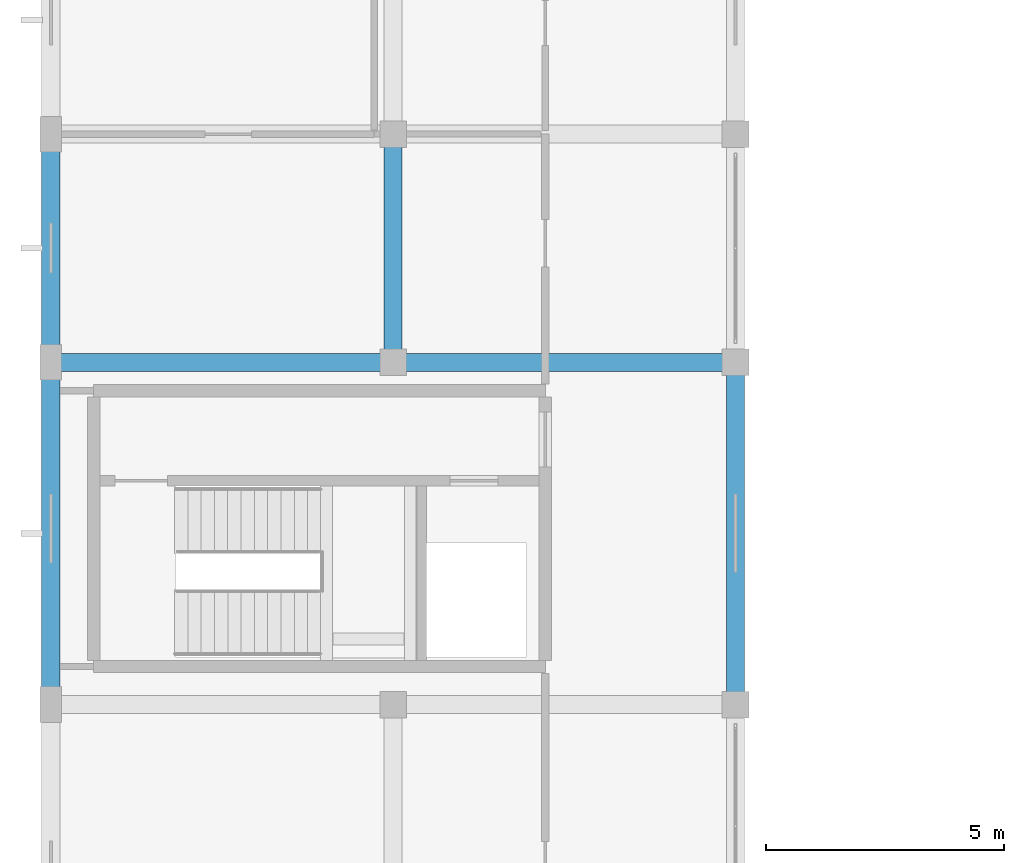
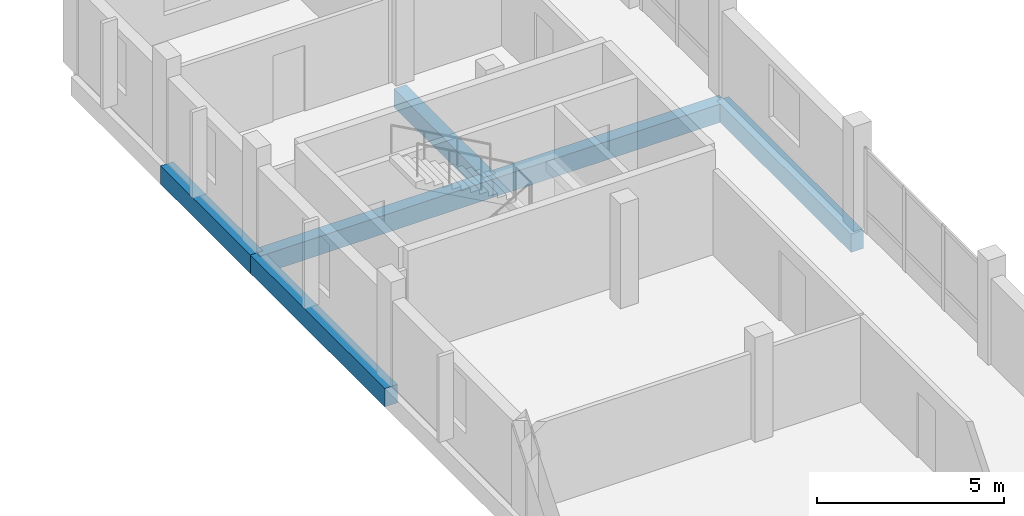
# One storey, part 13 of 84: 6 beams.
"""IFC4 building model written with IfcOpenShell, lengths in metres."""

from ifc_helpers import new_model, si_unit, direction, frame, origin, origin_2d, place, context, subcontext, project, spatial, rectangle, extrude, material, material_profile, profile_set, type_object, element, save


model = new_model("IFC4")

# Units and contexts
model_context = context("Model", 3, precision=1e-05, world=origin(), true_north=direction((0.0, 1.0)))
body_context = subcontext(model_context, "Body", "Model", "MODEL_VIEW")
ifc_project = project(units=[si_unit("LENGTHUNIT", "METRE"), si_unit("AREAUNIT", "SQUARE_METRE"), si_unit("VOLUMEUNIT", "CUBIC_METRE"), si_unit("PLANEANGLEUNIT", "RADIAN"), si_unit("MASSUNIT", "GRAM", prefix="KILO")], contexts=[model_context])

# Site, building, storey
site_placement = place(None, origin())
site = spatial("IfcSite", under=ifc_project, at=site_placement, CompositionType="ELEMENT")
building_placement = place(site_placement, origin())
building = spatial("IfcBuilding", under=site, at=building_placement, Name="Zornivar Specialist Clinic", CompositionType="ELEMENT")
storey_placement = place(building_placement, frame((0.0, 0.0, 12.300048828125)))
storey = spatial("IfcBuildingStorey", under=building, at=storey_placement, Name="L03", CompositionType="ELEMENT", Elevation=12.300048828125)

# Beams
ifc_material_1 = material(Name="Concrete C30/37", Category="concrete")
ifc_material_profile_1 = material_profile(ifc_material_1, rectangle(XDim=0.3798828125, YDim=0.60009765625, at=origin_2d()), Name="RC 380x600")
ifc_profile_set_1 = profile_set([ifc_material_profile_1], Name="Concrete C30/37")
beam_type_1 = type_object("IfcBeamType", Name="BM-RC-380x600", PredefinedType="BEAM", material=ifc_profile_set_1)
for number, where, z_axis, x_axis, name in (
    (1, (0.0, 43.199951171875, -0.580078125), (1.0, 0.0, 0.0), (0.0, 1.0, 0.0), "bm:V2:L03:x:432:0"),
    (2, (7.199951171875, 43.199951171875, -0.580078125), (1.0, 0.0, 0.0), (0.0, 1.0, 0.0), "bm:V2:L03:x:432:1"),
):
    element("IfcBeam", number, at=place(storey_placement, frame(where, z_axis=z_axis, x_axis=x_axis)), inside=storey, type_object=beam_type_1, Name=name, PredefinedType="BEAM", context=body_context, shape_type="SweptSolid", body=[
        extrude(rectangle(XDim=0.3798828125, YDim=0.60009765625, at=origin_2d()), origin(), (0.0, 0.0, 1.0), 7.199951171875),
    ])
beam_1_placement = place(storey_placement, frame((7.199951171875, 43.199951171875, -0.580078125), z_axis=(0.0, 1.0, 0.0), x_axis=(-1.0, 0.0, 0.0)))
element("IfcBeam", 3, at=beam_1_placement, inside=storey, type_object=beam_type_1, Name="bm:V2:L03:y:72:6", PredefinedType="BEAM", context=body_context, shape_type="SweptSolid", body=[
    extrude(rectangle(XDim=0.3798828125, YDim=0.60009765625, at=origin_2d()), origin(), (0.0, 0.0, 1.0), 4.800048828125),
])
beam_2_placement = place(storey_placement, frame((14.39990234375, 36.0, -0.580078125), z_axis=(0.0, 1.0, 0.0), x_axis=(-1.0, 0.0, 0.0)))
element("IfcBeam", 4, at=beam_2_placement, inside=storey, type_object=beam_type_1, Name="bm:V2:L03:y:144:5", PredefinedType="BEAM", context=body_context, shape_type="SweptSolid", body=[
    extrude(rectangle(XDim=0.3798828125, YDim=0.60009765625, at=origin_2d()), origin(), (0.0, 0.0, 1.0), 7.199951171875),
])
ifc_material_2 = material(Name="Concrete C30/37", Category="concrete")
ifc_material_profile_2 = material_profile(ifc_material_2, rectangle(XDim=0.389892578125, YDim=0.60009765625, at=origin_2d()), Name="RC 390x600")
ifc_profile_set_2 = profile_set([ifc_material_profile_2], Name="Concrete C30/37")
beam_type_2 = type_object("IfcBeamType", Name="BM-RC-SPANDREL-390x600", PredefinedType="SPANDREL", material=ifc_profile_set_2)
beam_3_placement = place(storey_placement, frame((0.0, 36.0, -0.580078125), z_axis=(0.0, 1.0, 0.0), x_axis=(-1.0, 0.0, 0.0)))
element("IfcBeam", 5, at=beam_3_placement, inside=storey, type_object=beam_type_2, Name="bm:V2:L03:y:0:5", PredefinedType="SPANDREL", context=body_context, shape_type="SweptSolid", body=[
    extrude(rectangle(XDim=0.389892578125, YDim=0.60009765625, at=origin_2d()), origin(), (0.0, 0.0, 1.0), 7.199951171875),
])
beam_4_placement = place(storey_placement, frame((0.0, 43.199951171875, -0.580078125), z_axis=(0.0, 1.0, 0.0), x_axis=(-1.0, 0.0, 0.0)))
element("IfcBeam", 6, at=beam_4_placement, inside=storey, type_object=beam_type_2, Name="bm:V2:L03:y:0:6", PredefinedType="SPANDREL", context=body_context, shape_type="SweptSolid", body=[
    extrude(rectangle(XDim=0.389892578125, YDim=0.60009765625, at=origin_2d()), origin(), (0.0, 0.0, 1.0), 4.800048828125),
])

save(model, "model.ifc")
